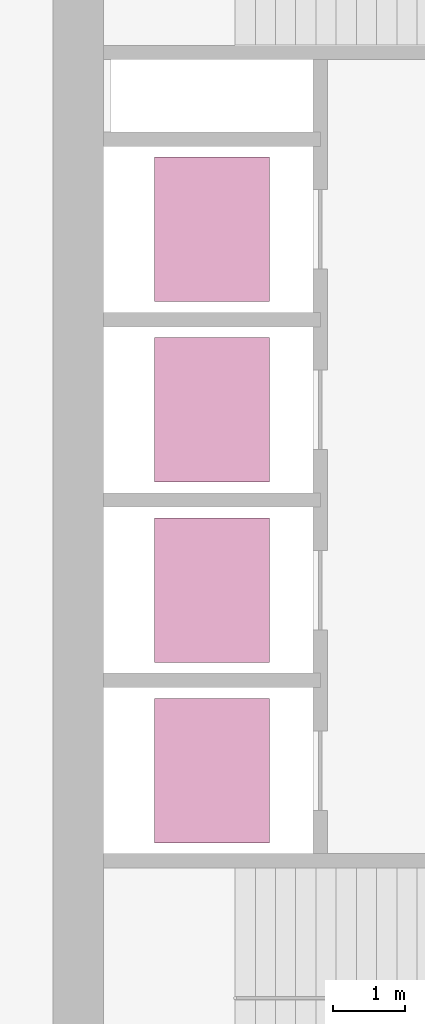
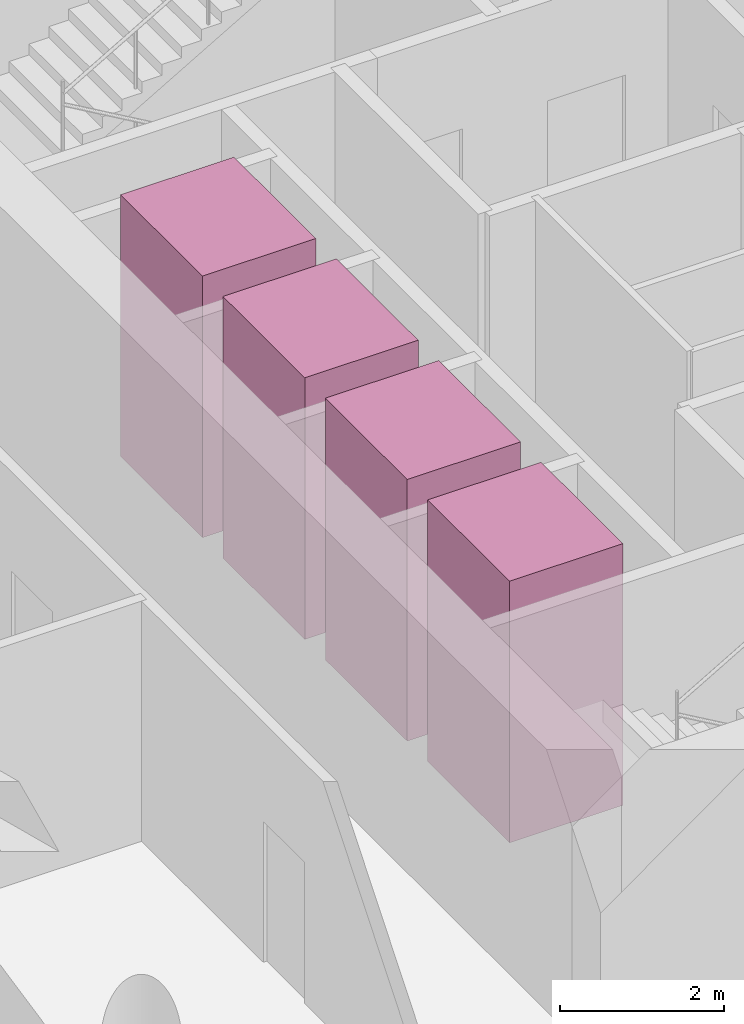
# One storey, part 10 of 10: 4 transport elements.
"""IFC4 building model written with IfcOpenShell, lengths in metres."""

from ifc_helpers import new_model, si_unit, direction, frame, origin, origin_2d, place, context, subcontext, project, spatial, rectangle, extrude, material, type_object, element, save


model = new_model("IFC4")

# Units and contexts
model_context = context("Model", 3, precision=1e-05, world=origin(), true_north=direction((0.0, 1.0)))
body_context = subcontext(model_context, "Body", "Model", "MODEL_VIEW")
ifc_project = project(units=[si_unit("LENGTHUNIT", "METRE"), si_unit("AREAUNIT", "SQUARE_METRE"), si_unit("VOLUMEUNIT", "CUBIC_METRE"), si_unit("PLANEANGLEUNIT", "RADIAN"), si_unit("MASSUNIT", "GRAM", prefix="KILO")], contexts=[model_context])

# Site, building, storey
site_placement = place(None, origin())
site = spatial("IfcSite", under=ifc_project, at=site_placement, CompositionType="ELEMENT")
building_placement = place(site_placement, origin())
building = spatial("IfcBuilding", under=site, at=building_placement, Name="Qaws Garden Tower", CompositionType="ELEMENT")
storey_placement = place(building_placement, frame((0.0, 0.0, 201.89990234375)))
storey = spatial("IfcBuildingStorey", under=building, at=storey_placement, Name="L49", CompositionType="ELEMENT", Elevation=201.89990234375)

# Transport elements
ifc_material = material(Name="Stainless steel 316", Category="steel")
transport_element_type = type_object("IfcTransportElementType", Name="Passenger lift car 2000x1600 1800 kg", PredefinedType="ELEVATOR", material=ifc_material)
for number, where, z_axis, x_axis, name in (
    (1, (10.199951171875, 13.64990234375, 0.000244140625), (0.0, 0.0, 1.0), (1.0, 0.0, 0.0), "MR1"),
    (2, (10.199951171875, 16.14990234375, 0.000244140625), (0.0, 0.0, 1.0), (1.0, 0.0, 0.0), "MR2"),
    (3, (10.199951171875, 18.64990234375, 0.000244140625), (0.0, 0.0, 1.0), (1.0, 0.0, 0.0), "MR3"),
    (4, (10.199951171875, 21.14990234375, 0.000244140625), (0.0, 0.0, 1.0), (1.0, 0.0, 0.0), "MR4"),
):
    element("IfcTransportElement", number, at=place(storey_placement, frame(where, z_axis=z_axis, x_axis=x_axis)), inside=storey, type_object=transport_element_type, Name=name, PredefinedType="ELEVATOR", context=body_context, shape_type="SweptSolid", body=[
        extrude(rectangle(XDim=1.60009765625, YDim=2.0, at=origin_2d()), origin(), (0.0, 0.0, 1.0), 3.89990234375),
    ])

save(model, "model.ifc")
